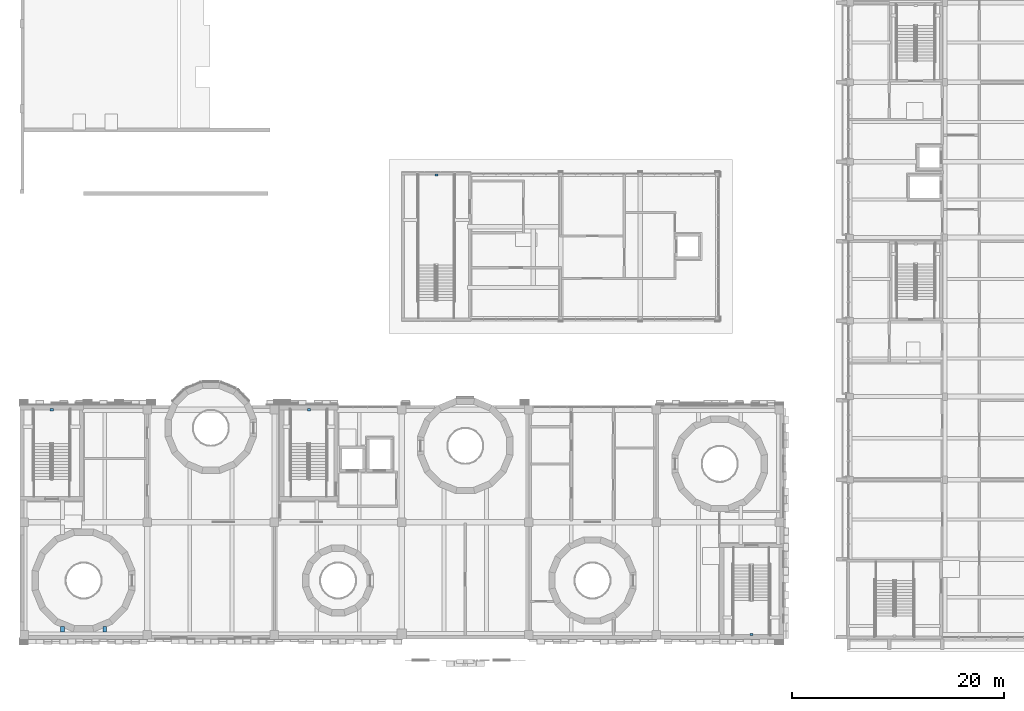
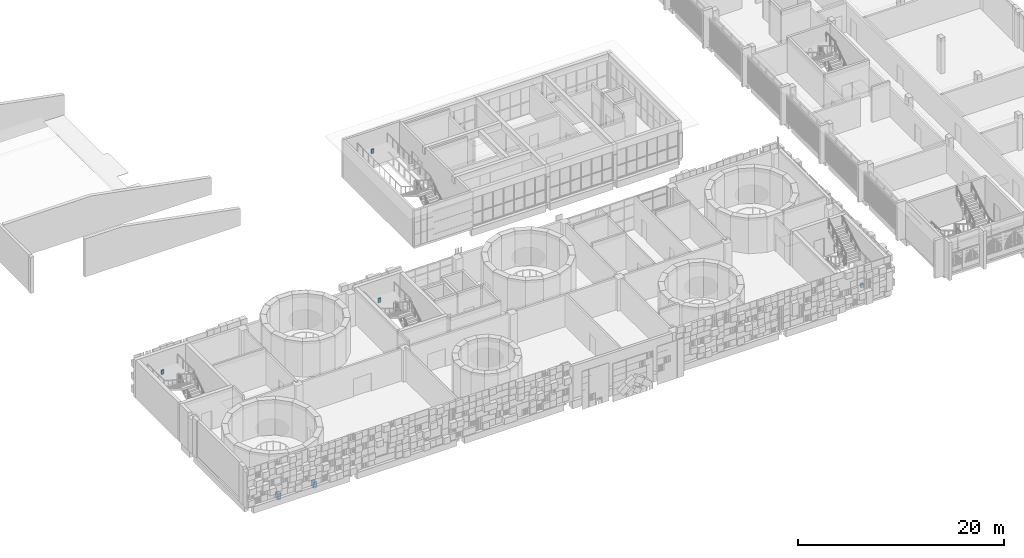
# One storey, part 38 of 92: 6 beams.
"""IFC4 building model written with IfcOpenShell, lengths in metres."""

from ifc_helpers import new_model, si_unit, direction, frame, origin, origin_2d, place, context, subcontext, project, spatial, rectangle, extrude, material, material_profile, profile_set, type_object, element, save


model = new_model("IFC4")

# Units and contexts
model_context = context("Model", 3, precision=1e-05, world=origin(), true_north=direction((0.0, 1.0)))
body_context = subcontext(model_context, "Body", "Model", "MODEL_VIEW")
ifc_project = project(units=[si_unit("LENGTHUNIT", "METRE"), si_unit("AREAUNIT", "SQUARE_METRE"), si_unit("VOLUMEUNIT", "CUBIC_METRE"), si_unit("PLANEANGLEUNIT", "RADIAN"), si_unit("MASSUNIT", "GRAM", prefix="KILO")], contexts=[model_context])

# Site, building, storey
site_placement = place(None, origin())
site = spatial("IfcSite", under=ifc_project, at=site_placement, CompositionType="ELEMENT")
building_placement = place(site_placement, origin())
building = spatial("IfcBuilding", under=site, at=building_placement, Name="Sun Court Science Centre", CompositionType="ELEMENT")
storey_placement = place(building_placement, frame((0.0, 0.0, 11.25)))
storey = spatial("IfcBuildingStorey", under=building, at=storey_placement, Name="L02", CompositionType="ELEMENT", Elevation=11.25)

# Beams
ifc_material_1 = material(Name="Concrete C25/30", Category="concrete")
ifc_material_profile_1 = material_profile(ifc_material_1, rectangle(XDim=0.35009765625, YDim=0.699951171875, at=origin_2d()), Name="RC 350x700")
ifc_profile_set_1 = profile_set([ifc_material_profile_1], Name="Concrete C25/30")
beam_type_1 = type_object("IfcBeamType", Name="RC joist 350x700", PredefinedType="JOIST", material=ifc_profile_set_1)
for number, where, z_axis, x_axis, name in (
    (1, (4.0, 6.64990234375, -0.64990234375), (0.0, 1.0, 0.0), (-1.0, 0.0, 0.0), "Joist L02"),
    (2, (8.0, 6.64990234375, -0.64990234375), (0.0, 1.0, 0.0), (-1.0, 0.0, 0.0), "Joist L02"),
):
    element("IfcBeam", number, at=place(storey_placement, frame(where, z_axis=z_axis, x_axis=x_axis)), inside=storey, type_object=beam_type_1, Name=name, PredefinedType="JOIST", context=body_context, shape_type="SweptSolid", body=[
        extrude(rectangle(XDim=0.35009765625, YDim=0.699951171875, at=origin_2d()), origin(), (0.0, 0.0, 1.0), 0.531982421875),
    ])
ifc_material_2 = material(Name="Concrete C25/30", Category="concrete")
ifc_material_profile_2 = material_profile(ifc_material_2, rectangle(XDim=0.300048828125, YDim=0.5, at=origin_2d()), Name="RC 300x500")
ifc_profile_set_2 = profile_set([ifc_material_profile_2], Name="Concrete C25/30")
beam_type_2 = type_object("IfcBeamType", Name="RC landing trimmer 300x500", PredefinedType="BEAM", material=ifc_profile_set_2)
for number, where, z_axis, x_axis, name in (
    (3, (3.0, 27.699951171875, 1.800048828125), (0.0, -1.0, 0.0), (1.0, 0.0, 0.0), "SB1 landing 1 trimmer beam 9"),
    (4, (27.25, 27.699951171875, 1.800048828125), (0.0, -1.0, 0.0), (1.0, 0.0, 0.0), "SB2 landing 1 trimmer beam 9"),
    (5, (69.0, 6.300048828125, 1.800048828125), (0.0, 1.0, 0.0), (-1.0, 0.0, 0.0), "SB3 landing 1 trimmer beam 9"),
):
    element("IfcBeam", number, at=place(storey_placement, frame(where, z_axis=z_axis, x_axis=x_axis)), inside=storey, type_object=beam_type_2, Name=name, PredefinedType="BEAM", context=body_context, shape_type="SweptSolid", body=[
        extrude(rectangle(XDim=0.300048828125, YDim=0.5, at=origin_2d()), origin(), (0.0, 0.0, 1.0), 0.18994140625),
    ])
beam_placement = place(storey_placement, frame((39.27490234375, 49.85009765625, 1.800048828125), z_axis=(0.0, -1.0, 0.0), x_axis=(1.0, 0.0, 0.0)))
element("IfcBeam", 6, at=beam_placement, inside=storey, type_object=beam_type_2, Name="SP1 landing 1 trimmer beam 9", PredefinedType="BEAM", context=body_context, shape_type="SweptSolid", body=[
    extrude(rectangle(XDim=0.300048828125, YDim=0.5, at=origin_2d()), origin(), (0.0, 0.0, 1.0), 0.190185546875),
])

save(model, "model.ifc")
